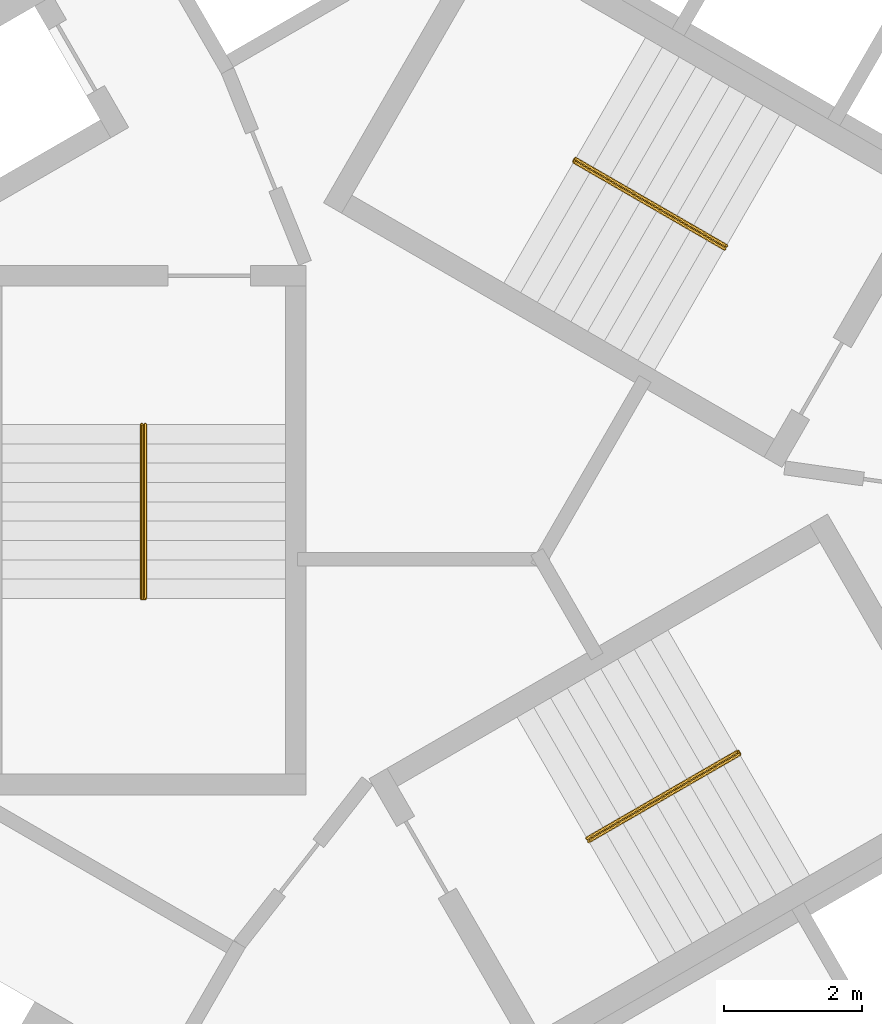
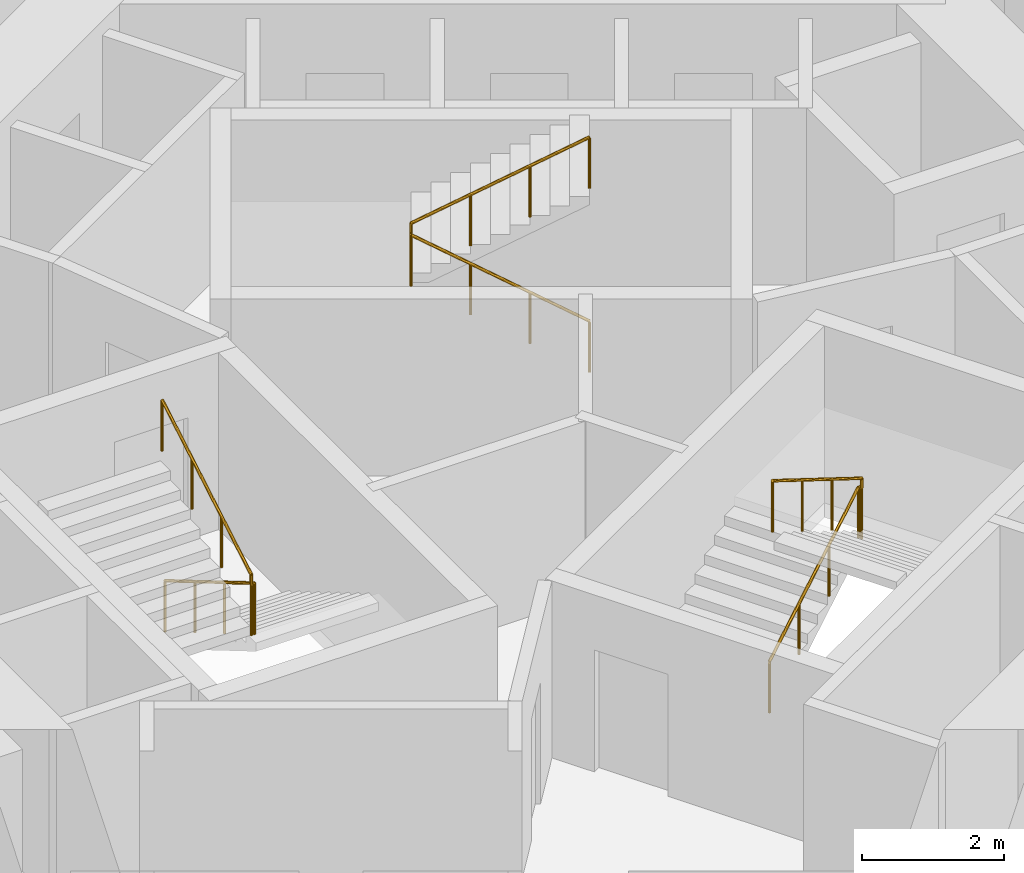
# One storey, part 12 of 12: 3 railings.
"""IFC4 building model written with IfcOpenShell, lengths in metres."""

from ifc_helpers import new_model, si_unit, direction, frame, origin, origin_2d, place, context, subcontext, project, spatial, circle, extrude, material, type_object, element, save


model = new_model("IFC4")

# Units and contexts
model_context = context("Model", 3, precision=1e-05, world=origin(), true_north=direction((0.0, 1.0)))
body_context = subcontext(model_context, "Body", "Model", "MODEL_VIEW")
ifc_project = project(units=[si_unit("LENGTHUNIT", "METRE"), si_unit("AREAUNIT", "SQUARE_METRE"), si_unit("VOLUMEUNIT", "CUBIC_METRE"), si_unit("PLANEANGLEUNIT", "RADIAN"), si_unit("MASSUNIT", "GRAM", prefix="KILO")], contexts=[model_context])

# Site, building, storey
site_placement = place(None, origin())
site = spatial("IfcSite", under=ifc_project, at=site_placement, CompositionType="ELEMENT")
building_placement = place(site_placement, origin())
building = spatial("IfcBuilding", under=site, at=building_placement, Name="Vanh Sen Convention Tower", CompositionType="ELEMENT")
storey_placement = place(building_placement, frame((0.0, 0.0, 70.39990234375)))
storey = spatial("IfcBuildingStorey", under=building, at=storey_placement, Name="L15", CompositionType="ELEMENT", Elevation=70.39990234375)

# Railings
ifc_material = material(Name="Stainless steel handrail", Category="steel")
railing_type = type_object("IfcRailingType", Name="Stair handrail 900", PredefinedType="HANDRAIL", material=ifc_material)
railing_1_placement = place(storey_placement, frame((3.45849609375, 3.690185546875, 0.1650390625)))
element("IfcRailing", 1, at=railing_1_placement, inside=storey, type_object=railing_type, Name="Stair handrail ST1 L15", PredefinedType="HANDRAIL", context=body_context, shape_type="SweptSolid", body=[
    extrude(circle(Radius=0.02392578125, at=origin_2d()), frame((0.0, 0.0, 0.8759765625), z_axis=(-0.746134546661, 0.430738299252, 0.507688640642), x_axis=(-0.499962843328, -0.866046855136, 0.0)), (0.0, 0.0, 1.0), 2.92529296875),
    extrude(circle(Radius=0.02392578125, at=origin_2d()), frame((-2.1826171875, 1.260009765625, 2.36083984375), z_axis=(0.502959906984, 0.86430974307, 0.0), x_axis=(-0.86430974307, 0.502959906984, 0.0)), (0.0, 0.0, 1.0), 0.050048828125),
    extrude(circle(Radius=0.02392578125, at=origin_2d()), frame((-2.157470703125, 1.30322265625, 2.36083984375), z_axis=(0.0, 0.0, 1.0), x_axis=(1.0, 0.0, 0.0)), (0.0, 0.0, 1.0), 0.1650390625),
    extrude(circle(Radius=0.02392578125, at=origin_2d()), frame((-2.157470703125, 1.30322265625, 2.52587890625), z_axis=(0.746129163535, -0.430783377672, 0.507658303235), x_axis=(0.500004791531, 0.866022637375, 0.0)), (0.0, 0.0, 1.0), 2.9248046875),
    extrude(circle(Radius=0.02099609375, at=origin_2d()), origin(), (0.0, 0.0, 1.0), 0.851806640625),
    extrude(circle(Radius=0.02099609375, at=origin_2d()), frame((-0.7275390625, 0.419921875, 0.4951171875)), (0.0, 0.0, 1.0), 0.851806640625),
    extrude(circle(Radius=0.02099609375, at=origin_2d()), frame((-1.455078125, 0.840087890625, 0.989990234375)), (0.0, 0.0, 1.0), 0.851806640625),
    extrude(circle(Radius=0.02099609375, at=origin_2d()), frame((-2.1826171875, 1.260009765625, 1.485107421875)), (0.0, 0.0, 1.0), 0.851806640625),
    extrude(circle(Radius=0.02099609375, at=origin_2d()), frame((-2.157470703125, 1.30322265625, 1.485107421875)), (0.0, 0.0, 1.0), 0.851806640625),
    extrude(circle(Radius=0.02099609375, at=origin_2d()), frame((-2.157470703125, 1.30322265625, 1.650146484375)), (0.0, 0.0, 1.0), 0.851806640625),
    extrude(circle(Radius=0.02099609375, at=origin_2d()), frame((-1.429931640625, 0.88330078125, 2.14501953125)), (0.0, 0.0, 1.0), 0.851806640625),
    extrude(circle(Radius=0.02099609375, at=origin_2d()), frame((-0.70263671875, 0.463134765625, 2.64013671875)), (0.0, 0.0, 1.0), 0.851806640625),
    extrude(circle(Radius=0.02099609375, at=origin_2d()), frame((0.02490234375, 0.043212890625, 3.135009765625)), (0.0, 0.0, 1.0), 0.851806640625),
])
railing_2_placement = place(storey_placement, frame((-4.925048828125, 1.14990234375, 0.1650390625)))
element("IfcRailing", 2, at=railing_2_placement, inside=storey, type_object=railing_type, Name="Stair handrail ST2 L15", PredefinedType="HANDRAIL", context=body_context, shape_type="SweptSolid", body=[
    extrude(circle(Radius=0.02392578125, at=origin_2d()), frame((0.0, 0.0, 0.8759765625), z_axis=(0.0, -0.86152411907, 0.507716645641), x_axis=(1.0, 0.0, 0.0)), (0.0, 0.0, 1.0), 2.925048828125),
    extrude(circle(Radius=0.02392578125, at=origin_2d()), frame((0.0, -2.52001953125, 2.36083984375), z_axis=(-1.0, 0.0, 0.0), x_axis=(0.0, -1.0, 0.0)), (0.0, 0.0, 1.0), 0.050048828125),
    extrude(circle(Radius=0.02392578125, at=origin_2d()), frame((-0.050048828125, -2.52001953125, 2.36083984375), z_axis=(0.0, 0.0, 1.0), x_axis=(1.0, 0.0, 0.0)), (0.0, 0.0, 1.0), 0.1650390625),
    extrude(circle(Radius=0.02392578125, at=origin_2d()), frame((-0.050048828125, -2.52001953125, 2.52587890625), z_axis=(0.0, 0.861560626758, 0.507654692109), x_axis=(-1.0, 0.0, 0.0)), (0.0, 0.0, 1.0), 2.925048828125),
    extrude(circle(Radius=0.02099609375, at=origin_2d()), origin(), (0.0, 0.0, 1.0), 0.851806640625),
    extrude(circle(Radius=0.02099609375, at=origin_2d()), frame((0.0, -0.840087890625, 0.4951171875)), (0.0, 0.0, 1.0), 0.851806640625),
    extrude(circle(Radius=0.02099609375, at=origin_2d()), frame((0.0, -1.679931640625, 0.989990234375)), (0.0, 0.0, 1.0), 0.851806640625),
    extrude(circle(Radius=0.02099609375, at=origin_2d()), frame((0.0, -2.52001953125, 1.485107421875)), (0.0, 0.0, 1.0), 0.851806640625),
    extrude(circle(Radius=0.02099609375, at=origin_2d()), frame((-0.050048828125, -2.52001953125, 1.485107421875)), (0.0, 0.0, 1.0), 0.851806640625),
    extrude(circle(Radius=0.02099609375, at=origin_2d()), frame((-0.050048828125, -2.52001953125, 1.650146484375)), (0.0, 0.0, 1.0), 0.851806640625),
    extrude(circle(Radius=0.02099609375, at=origin_2d()), frame((-0.050048828125, -1.679931640625, 2.14501953125)), (0.0, 0.0, 1.0), 0.851806640625),
    extrude(circle(Radius=0.02099609375, at=origin_2d()), frame((-0.050048828125, -0.840087890625, 2.64013671875)), (0.0, 0.0, 1.0), 0.851806640625),
    extrude(circle(Radius=0.02099609375, at=origin_2d()), frame((-0.050048828125, 0.0, 3.135009765625)), (0.0, 0.0, 1.0), 0.851806640625),
])
railing_3_placement = place(storey_placement, frame((1.466552734375, -4.840087890625, 0.1650390625)))
element("IfcRailing", 3, at=railing_3_placement, inside=storey, type_object=railing_type, Name="Stair handrail ST3 L15", PredefinedType="HANDRAIL", context=body_context, shape_type="SweptSolid", body=[
    extrude(circle(Radius=0.02392578125, at=origin_2d()), frame((0.0, 0.0, 0.8759765625), z_axis=(0.746097546679, 0.430765123438, 0.507720256902), x_axis=(-0.500004791531, 0.866022637375, 0.0)), (0.0, 0.0, 1.0), 2.925048828125),
    extrude(circle(Radius=0.02392578125, at=origin_2d()), frame((2.182373046875, 1.260009765625, 2.36083984375), z_axis=(0.500844580232, -0.86553723574, 0.0), x_axis=(0.86553723574, 0.500844580232, 0.0)), (0.0, 0.0, 1.0), 0.05029296875),
    extrude(circle(Radius=0.02392578125, at=origin_2d()), frame((2.20751953125, 1.216552734375, 2.36083984375), z_axis=(0.0, 0.0, 1.0), x_axis=(1.0, 0.0, 0.0)), (0.0, 0.0, 1.0), 0.1650390625),
    extrude(circle(Radius=0.02392578125, at=origin_2d()), frame((2.20751953125, 1.216552734375, 2.52587890625), z_axis=(-0.746129163535, -0.430783377672, 0.507658303235), x_axis=(0.500004791531, -0.866022637375, 0.0)), (0.0, 0.0, 1.0), 2.9248046875),
    extrude(circle(Radius=0.02099609375, at=origin_2d()), origin(), (0.0, 0.0, 1.0), 0.851806640625),
    extrude(circle(Radius=0.02099609375, at=origin_2d()), frame((0.7275390625, 0.419921875, 0.4951171875)), (0.0, 0.0, 1.0), 0.851806640625),
    extrude(circle(Radius=0.02099609375, at=origin_2d()), frame((1.454833984375, 0.840087890625, 0.989990234375)), (0.0, 0.0, 1.0), 0.851806640625),
    extrude(circle(Radius=0.02099609375, at=origin_2d()), frame((2.182373046875, 1.260009765625, 1.485107421875)), (0.0, 0.0, 1.0), 0.851806640625),
    extrude(circle(Radius=0.02099609375, at=origin_2d()), frame((2.20751953125, 1.216552734375, 1.485107421875)), (0.0, 0.0, 1.0), 0.851806640625),
    extrude(circle(Radius=0.02099609375, at=origin_2d()), frame((2.20751953125, 1.216552734375, 1.650146484375)), (0.0, 0.0, 1.0), 0.851806640625),
    extrude(circle(Radius=0.02099609375, at=origin_2d()), frame((1.47998046875, 0.796630859375, 2.14501953125)), (0.0, 0.0, 1.0), 0.851806640625),
    extrude(circle(Radius=0.02099609375, at=origin_2d()), frame((0.752685546875, 0.37646484375, 2.64013671875)), (0.0, 0.0, 1.0), 0.851806640625),
    extrude(circle(Radius=0.02099609375, at=origin_2d()), frame((0.025146484375, -0.04345703125, 3.135009765625)), (0.0, 0.0, 1.0), 0.851806640625),
])

save(model, "model.ifc")
